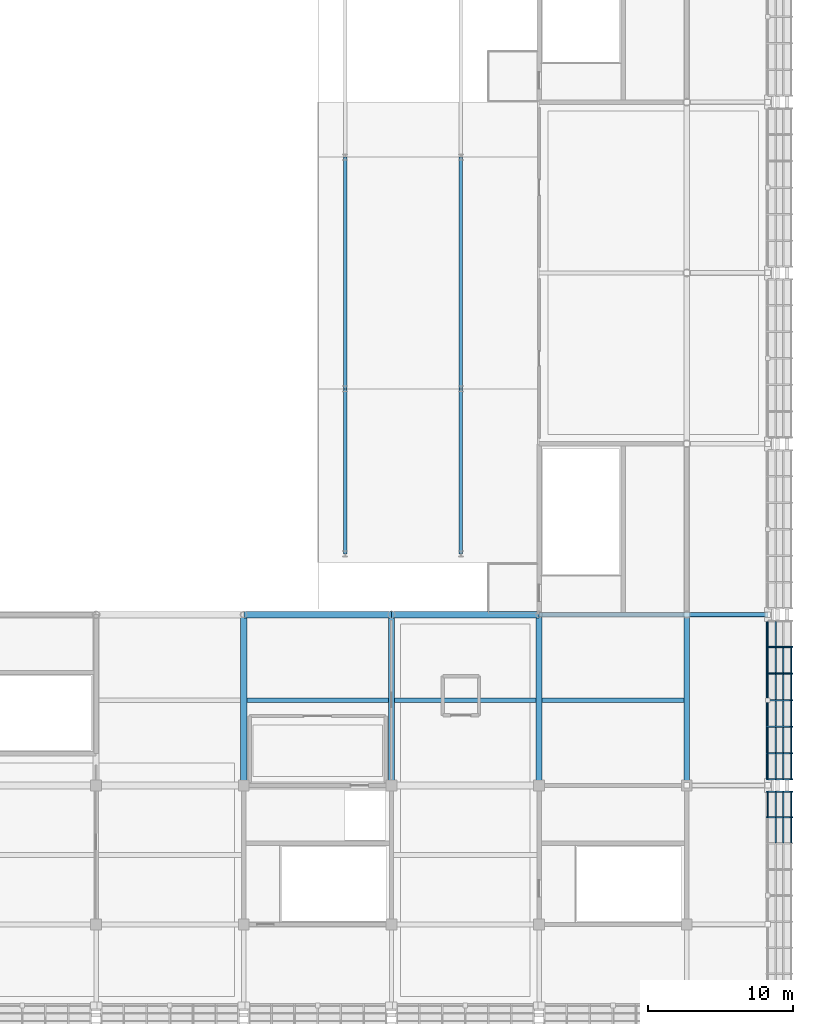
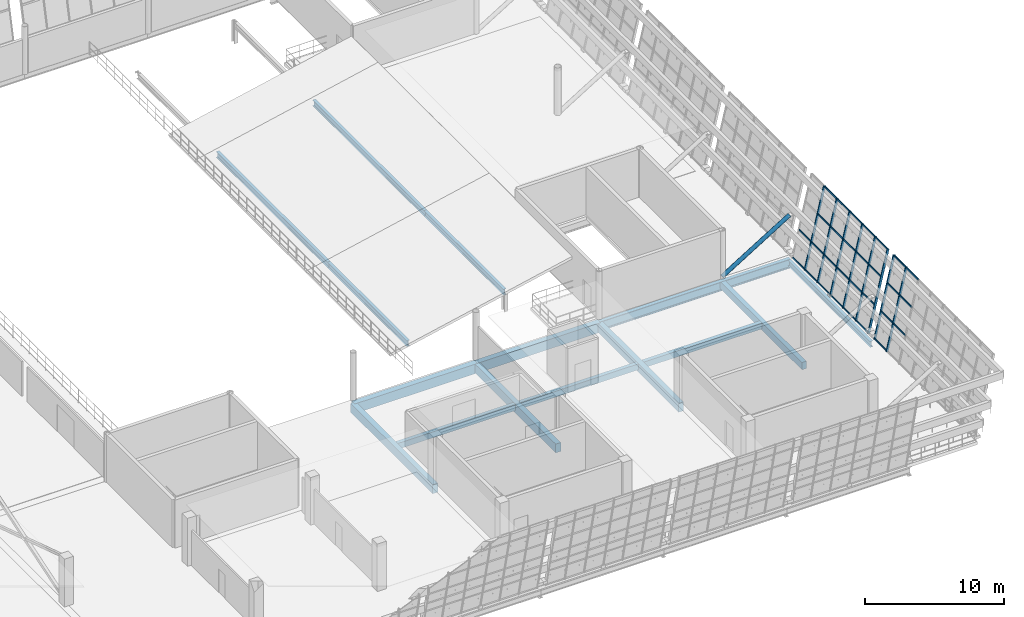
# One storey, part 66 of 157: 38 members, 15 beams, 2 elements without a shape of their own.
"""IFC4 building model written with IfcOpenShell, lengths in metres."""

from ifc_helpers import new_model, si_unit, direction, frame, origin, origin_2d, place, context, subcontext, project, spatial, rectangle, hollow_rectangle, hollow_circle, i_section, extrude, material, material_profile, profile_set, type_object, element, aggregate, save


model = new_model("IFC4")

# Units and contexts
model_context = context("Model", 3, precision=1e-05, world=origin(), true_north=direction((0.0, 1.0)))
body_context = subcontext(model_context, "Body", "Model", "MODEL_VIEW")
ifc_project = project(units=[si_unit("LENGTHUNIT", "METRE"), si_unit("AREAUNIT", "SQUARE_METRE"), si_unit("VOLUMEUNIT", "CUBIC_METRE"), si_unit("PLANEANGLEUNIT", "RADIAN"), si_unit("MASSUNIT", "GRAM", prefix="KILO")], contexts=[model_context])

# Site, building, storey
site_placement = place(None, origin())
site = spatial("IfcSite", under=ifc_project, at=site_placement, CompositionType="ELEMENT")
building_placement = place(site_placement, origin())
building = spatial("IfcBuilding", under=site, at=building_placement, Name="Brelvane Convention Centre", CompositionType="ELEMENT")
storey_placement = place(building_placement, frame((0.0, 0.0, 10.800048828125)))
storey = spatial("IfcBuildingStorey", under=building, at=storey_placement, Name="L02", CompositionType="ELEMENT", Elevation=10.800048828125)

# Curtain wall, members
ifc_material_1 = material(Name="Anodised Aluminium Alloy 6063-T6", Category="aluminium")
curtain_wall_type = type_object("IfcCurtainWallType", Name="Curtain Wall CW-PLEN-E", PredefinedType="USERDEFINED", material=ifc_material_1)
curtain_wall_1_placement = place(storey_placement, origin())
curtain_wall_1 = element("IfcCurtainWall", 1, at=curtain_wall_1_placement, inside=storey, type_object=curtain_wall_type, Name="Curtain Wall CW-PLEN-E L02-HULL-E-L02-1", ObjectType="UNITISED", PredefinedType="USERDEFINED")
ifc_material_2 = material(Name="Anodised Aluminium Alloy 6063-T6", Category="aluminium")
ifc_material_profile_1 = material_profile(ifc_material_2, hollow_rectangle(XDim=0.074951171875, YDim=0.199951171875, WallThickness=0.0048828125, InnerFilletRadius=0.0048828125, OuterFilletRadius=0.010009765625, at=origin_2d()), Name="ALU-M 200x75x5.0")
ifc_profile_set_1 = profile_set([ifc_material_profile_1], Name="Anodised Aluminium Alloy 6063-T6")
member_type_1 = type_object("IfcMemberType", Name="Curtain Mullion CW-M2", PredefinedType="MULLION", material=ifc_profile_set_1)
member_1_placement = place(storey_placement, frame((230.0, 26.60009765625, 0.0), z_axis=(0.228360410362, 0.0, 0.973576665178), x_axis=(0.0, 1.0, 0.0)))
member_1 = element("IfcMember", 2, at=member_1_placement, type_object=member_type_1, Name="CW-PLEN-E mullion 8", PredefinedType="MULLION", context=body_context, shape_type="SweptSolid", body=[
    extrude(hollow_rectangle(XDim=0.074951171875, YDim=0.199951171875, WallThickness=0.0048828125, InnerFilletRadius=0.0048828125, OuterFilletRadius=0.010009765625, at=origin_2d()), origin(), (0.0, 0.0, 1.0), 7.03564453125),
])
member_2_placement = place(storey_placement, frame((230.0, 28.362548828125, 0.0), z_axis=(0.228360410362, 0.0, 0.973576665178), x_axis=(0.0, 1.0, 0.0)))
member_2 = element("IfcMember", 3, at=member_2_placement, type_object=member_type_1, Name="CW-PLEN-E mullion 9", PredefinedType="MULLION", context=body_context, shape_type="SweptSolid", body=[
    extrude(hollow_rectangle(XDim=0.074951171875, YDim=0.199951171875, WallThickness=0.0048828125, InnerFilletRadius=0.0048828125, OuterFilletRadius=0.010009765625, at=origin_2d()), origin(), (0.0, 0.0, 1.0), 7.03564453125),
])

curtain_wall_2_placement = place(storey_placement, origin())
curtain_wall_2 = element("IfcCurtainWall", 4, at=curtain_wall_2_placement, inside=storey, type_object=curtain_wall_type, Name="Curtain Wall CW-PLEN-E L02-HULL-E-L02-2", ObjectType="UNITISED", PredefinedType="USERDEFINED")
member_3_placement = place(storey_placement, frame((230.0, 29.237548828125, 0.0), z_axis=(0.228360410362, 0.0, 0.973576665178), x_axis=(0.0, 1.0, 0.0)))
member_3 = element("IfcMember", 5, at=member_3_placement, type_object=member_type_1, Name="CW-PLEN-E mullion 1", PredefinedType="MULLION", context=body_context, shape_type="SweptSolid", body=[
    extrude(hollow_rectangle(XDim=0.074951171875, YDim=0.199951171875, WallThickness=0.0048828125, InnerFilletRadius=0.0048828125, OuterFilletRadius=0.010009765625, at=origin_2d()), origin(), (0.0, 0.0, 1.0), 7.03564453125),
])
member_4_placement = place(storey_placement, frame((230.0, 31.033447265625, 0.0), z_axis=(0.228360410362, 0.0, 0.973576665178), x_axis=(0.0, 1.0, 0.0)))
member_4 = element("IfcMember", 6, at=member_4_placement, type_object=member_type_1, Name="CW-PLEN-E mullion 2", PredefinedType="MULLION", context=body_context, shape_type="SweptSolid", body=[
    extrude(hollow_rectangle(XDim=0.074951171875, YDim=0.199951171875, WallThickness=0.0048828125, InnerFilletRadius=0.0048828125, OuterFilletRadius=0.010009765625, at=origin_2d()), origin(), (0.0, 0.0, 1.0), 7.03564453125),
])
member_5_placement = place(storey_placement, frame((230.0, 32.86669921875, 0.0), z_axis=(0.228360410362, 0.0, 0.973576665178), x_axis=(0.0, 1.0, 0.0)))
member_5 = element("IfcMember", 7, at=member_5_placement, type_object=member_type_1, Name="CW-PLEN-E mullion 3", PredefinedType="MULLION", context=body_context, shape_type="SweptSolid", body=[
    extrude(hollow_rectangle(XDim=0.074951171875, YDim=0.199951171875, WallThickness=0.0048828125, InnerFilletRadius=0.0048828125, OuterFilletRadius=0.010009765625, at=origin_2d()), origin(), (0.0, 0.0, 1.0), 7.03564453125),
])
member_6_placement = place(storey_placement, frame((230.0, 34.699951171875, 0.0), z_axis=(0.228360410362, 0.0, 0.973576665178), x_axis=(0.0, 1.0, 0.0)))
member_6 = element("IfcMember", 8, at=member_6_placement, type_object=member_type_1, Name="CW-PLEN-E mullion 4", PredefinedType="MULLION", context=body_context, shape_type="SweptSolid", body=[
    extrude(hollow_rectangle(XDim=0.074951171875, YDim=0.199951171875, WallThickness=0.0048828125, InnerFilletRadius=0.0048828125, OuterFilletRadius=0.010009765625, at=origin_2d()), origin(), (0.0, 0.0, 1.0), 7.03564453125),
])
member_7_placement = place(storey_placement, frame((230.0, 36.533447265625, 0.0), z_axis=(0.228360410362, 0.0, 0.973576665178), x_axis=(0.0, 1.0, 0.0)))
member_7 = element("IfcMember", 9, at=member_7_placement, type_object=member_type_1, Name="CW-PLEN-E mullion 5", PredefinedType="MULLION", context=body_context, shape_type="SweptSolid", body=[
    extrude(hollow_rectangle(XDim=0.074951171875, YDim=0.199951171875, WallThickness=0.0048828125, InnerFilletRadius=0.0048828125, OuterFilletRadius=0.010009765625, at=origin_2d()), origin(), (0.0, 0.0, 1.0), 7.03564453125),
])
member_8_placement = place(storey_placement, frame((230.0, 38.36669921875, 0.0), z_axis=(0.228360410362, 0.0, 0.973576665178), x_axis=(0.0, 1.0, 0.0)))
member_8 = element("IfcMember", 10, at=member_8_placement, type_object=member_type_1, Name="CW-PLEN-E mullion 6", PredefinedType="MULLION", context=body_context, shape_type="SweptSolid", body=[
    extrude(hollow_rectangle(XDim=0.074951171875, YDim=0.199951171875, WallThickness=0.0048828125, InnerFilletRadius=0.0048828125, OuterFilletRadius=0.010009765625, at=origin_2d()), origin(), (0.0, 0.0, 1.0), 7.03564453125),
])

# Member
ifc_material_3 = material(Name="Anodised Aluminium Alloy 6063-T6", Category="aluminium")
ifc_material_profile_2 = material_profile(ifc_material_3, hollow_rectangle(XDim=0.070068359375, YDim=0.14990234375, WallThickness=0.00439453125, InnerFilletRadius=0.00439453125, OuterFilletRadius=0.009033203125, at=origin_2d()), Name="ALU-T 150x70x4.5")
ifc_profile_set_2 = profile_set([ifc_material_profile_2], Name="Anodised Aluminium Alloy 6063-T6")
member_type_2 = type_object("IfcMemberType", Name="Curtain Transom CW-T2", PredefinedType="USERDEFINED", material=ifc_profile_set_2)
member_9_placement = place(storey_placement, frame((230.53564453125, 24.83740234375, 2.283203125), z_axis=(0.0, 1.0, 0.0), x_axis=(-1.0, 0.0, 0.0)))
member_9 = element("IfcMember", 11, at=member_9_placement, type_object=member_type_2, Name="CW-PLEN-E transom 7.2", ObjectType="TRANSOM", PredefinedType="USERDEFINED", context=body_context, shape_type="SweptSolid", body=[
    extrude(hollow_rectangle(XDim=0.070068359375, YDim=0.14990234375, WallThickness=0.00439453125, InnerFilletRadius=0.00439453125, OuterFilletRadius=0.009033203125, at=origin_2d()), origin(), (0.0, 0.0, 1.0), 1.72509765625),
])

member_10_placement = place(storey_placement, frame((231.071044921875, 24.83740234375, 4.566650390625), z_axis=(0.0, 1.0, 0.0), x_axis=(-1.0, 0.0, 0.0)))
member_10 = element("IfcMember", 12, at=member_10_placement, type_object=member_type_2, Name="CW-PLEN-E transom 7.3", ObjectType="TRANSOM", PredefinedType="USERDEFINED", context=body_context, shape_type="SweptSolid", body=[
    extrude(hollow_rectangle(XDim=0.070068359375, YDim=0.14990234375, WallThickness=0.00439453125, InnerFilletRadius=0.00439453125, OuterFilletRadius=0.009033203125, at=origin_2d()), origin(), (0.0, 0.0, 1.0), 1.72509765625),
])

member_11_placement = place(storey_placement, frame((231.598388671875, 24.83740234375, 6.81494140625), z_axis=(0.0, 1.0, 0.0), x_axis=(-1.0, 0.0, 0.0)))
member_11 = element("IfcMember", 13, at=member_11_placement, type_object=member_type_2, Name="CW-PLEN-E transom 7.4", ObjectType="TRANSOM", PredefinedType="USERDEFINED", context=body_context, shape_type="SweptSolid", body=[
    extrude(hollow_rectangle(XDim=0.070068359375, YDim=0.14990234375, WallThickness=0.00439453125, InnerFilletRadius=0.00439453125, OuterFilletRadius=0.009033203125, at=origin_2d()), origin(), (0.0, 0.0, 1.0), 1.72509765625),
])

member_12_placement = place(storey_placement, frame((230.00830078125, 26.637451171875, 0.034912109375), z_axis=(0.0, 1.0, 0.0), x_axis=(-1.0, 0.0, 0.0)))
member_12 = element("IfcMember", 14, at=member_12_placement, type_object=member_type_2, Name="CW-PLEN-E transom 8.1", ObjectType="TRANSOM", PredefinedType="USERDEFINED", context=body_context, shape_type="SweptSolid", body=[
    extrude(hollow_rectangle(XDim=0.070068359375, YDim=0.14990234375, WallThickness=0.00439453125, InnerFilletRadius=0.00439453125, OuterFilletRadius=0.009033203125, at=origin_2d()), origin(), (0.0, 0.0, 1.0), 1.6875),
])

member_13_placement = place(storey_placement, frame((230.53564453125, 26.637451171875, 2.283203125), z_axis=(0.0, 1.0, 0.0), x_axis=(-1.0, 0.0, 0.0)))
member_13 = element("IfcMember", 15, at=member_13_placement, type_object=member_type_2, Name="CW-PLEN-E transom 8.2", ObjectType="TRANSOM", PredefinedType="USERDEFINED", context=body_context, shape_type="SweptSolid", body=[
    extrude(hollow_rectangle(XDim=0.070068359375, YDim=0.14990234375, WallThickness=0.00439453125, InnerFilletRadius=0.00439453125, OuterFilletRadius=0.009033203125, at=origin_2d()), origin(), (0.0, 0.0, 1.0), 1.6875),
])

member_14_placement = place(storey_placement, frame((231.071044921875, 26.637451171875, 4.566650390625), z_axis=(0.0, 1.0, 0.0), x_axis=(-1.0, 0.0, 0.0)))
member_14 = element("IfcMember", 16, at=member_14_placement, type_object=member_type_2, Name="CW-PLEN-E transom 8.3", ObjectType="TRANSOM", PredefinedType="USERDEFINED", context=body_context, shape_type="SweptSolid", body=[
    extrude(hollow_rectangle(XDim=0.070068359375, YDim=0.14990234375, WallThickness=0.00439453125, InnerFilletRadius=0.00439453125, OuterFilletRadius=0.009033203125, at=origin_2d()), origin(), (0.0, 0.0, 1.0), 1.6875),
])

member_15_placement = place(storey_placement, frame((231.598388671875, 26.637451171875, 6.81494140625), z_axis=(0.0, 1.0, 0.0), x_axis=(-1.0, 0.0, 0.0)))
member_15 = element("IfcMember", 17, at=member_15_placement, type_object=member_type_2, Name="CW-PLEN-E transom 8.4", ObjectType="TRANSOM", PredefinedType="USERDEFINED", context=body_context, shape_type="SweptSolid", body=[
    extrude(hollow_rectangle(XDim=0.070068359375, YDim=0.14990234375, WallThickness=0.00439453125, InnerFilletRadius=0.00439453125, OuterFilletRadius=0.009033203125, at=origin_2d()), origin(), (0.0, 0.0, 1.0), 1.6875),
])

aggregate(curtain_wall_1, [member_1, member_2, member_9, member_10, member_11, member_12, member_13, member_14, member_15])

member_16_placement = place(storey_placement, frame((230.00830078125, 29.27490234375, 0.034912109375), z_axis=(0.0, 1.0, 0.0), x_axis=(-1.0, 0.0, 0.0)))
member_16 = element("IfcMember", 18, at=member_16_placement, type_object=member_type_2, Name="CW-PLEN-E transom 1.1", ObjectType="TRANSOM", PredefinedType="USERDEFINED", context=body_context, shape_type="SweptSolid", body=[
    extrude(hollow_rectangle(XDim=0.070068359375, YDim=0.14990234375, WallThickness=0.00439453125, InnerFilletRadius=0.00439453125, OuterFilletRadius=0.009033203125, at=origin_2d()), origin(), (0.0, 0.0, 1.0), 1.720947265625),
])

member_17_placement = place(storey_placement, frame((230.53564453125, 29.27490234375, 2.283203125), z_axis=(0.0, 1.0, 0.0), x_axis=(-1.0, 0.0, 0.0)))
member_17 = element("IfcMember", 19, at=member_17_placement, type_object=member_type_2, Name="CW-PLEN-E transom 1.2", ObjectType="TRANSOM", PredefinedType="USERDEFINED", context=body_context, shape_type="SweptSolid", body=[
    extrude(hollow_rectangle(XDim=0.070068359375, YDim=0.14990234375, WallThickness=0.00439453125, InnerFilletRadius=0.00439453125, OuterFilletRadius=0.009033203125, at=origin_2d()), origin(), (0.0, 0.0, 1.0), 1.720947265625),
])

member_18_placement = place(storey_placement, frame((231.071044921875, 29.27490234375, 4.566650390625), z_axis=(0.0, 1.0, 0.0), x_axis=(-1.0, 0.0, 0.0)))
member_18 = element("IfcMember", 20, at=member_18_placement, type_object=member_type_2, Name="CW-PLEN-E transom 1.3", ObjectType="TRANSOM", PredefinedType="USERDEFINED", context=body_context, shape_type="SweptSolid", body=[
    extrude(hollow_rectangle(XDim=0.070068359375, YDim=0.14990234375, WallThickness=0.00439453125, InnerFilletRadius=0.00439453125, OuterFilletRadius=0.009033203125, at=origin_2d()), origin(), (0.0, 0.0, 1.0), 1.720947265625),
])

member_19_placement = place(storey_placement, frame((231.598388671875, 29.27490234375, 6.81494140625), z_axis=(0.0, 1.0, 0.0), x_axis=(-1.0, 0.0, 0.0)))
member_19 = element("IfcMember", 21, at=member_19_placement, type_object=member_type_2, Name="CW-PLEN-E transom 1.4", ObjectType="TRANSOM", PredefinedType="USERDEFINED", context=body_context, shape_type="SweptSolid", body=[
    extrude(hollow_rectangle(XDim=0.070068359375, YDim=0.14990234375, WallThickness=0.00439453125, InnerFilletRadius=0.00439453125, OuterFilletRadius=0.009033203125, at=origin_2d()), origin(), (0.0, 0.0, 1.0), 1.720947265625),
])

member_20_placement = place(storey_placement, frame((230.00830078125, 31.07080078125, 0.034912109375), z_axis=(0.0, 1.0, 0.0), x_axis=(-1.0, 0.0, 0.0)))
member_20 = element("IfcMember", 22, at=member_20_placement, type_object=member_type_2, Name="CW-PLEN-E transom 2.1", ObjectType="TRANSOM", PredefinedType="USERDEFINED", context=body_context, shape_type="SweptSolid", body=[
    extrude(hollow_rectangle(XDim=0.070068359375, YDim=0.14990234375, WallThickness=0.00439453125, InnerFilletRadius=0.00439453125, OuterFilletRadius=0.009033203125, at=origin_2d()), origin(), (0.0, 0.0, 1.0), 1.75830078125),
])

member_21_placement = place(storey_placement, frame((230.53564453125, 31.07080078125, 2.283203125), z_axis=(0.0, 1.0, 0.0), x_axis=(-1.0, 0.0, 0.0)))
member_21 = element("IfcMember", 23, at=member_21_placement, type_object=member_type_2, Name="CW-PLEN-E transom 2.2", ObjectType="TRANSOM", PredefinedType="USERDEFINED", context=body_context, shape_type="SweptSolid", body=[
    extrude(hollow_rectangle(XDim=0.070068359375, YDim=0.14990234375, WallThickness=0.00439453125, InnerFilletRadius=0.00439453125, OuterFilletRadius=0.009033203125, at=origin_2d()), origin(), (0.0, 0.0, 1.0), 1.75830078125),
])

member_22_placement = place(storey_placement, frame((231.071044921875, 31.07080078125, 4.566650390625), z_axis=(0.0, 1.0, 0.0), x_axis=(-1.0, 0.0, 0.0)))
member_22 = element("IfcMember", 24, at=member_22_placement, type_object=member_type_2, Name="CW-PLEN-E transom 2.3", ObjectType="TRANSOM", PredefinedType="USERDEFINED", context=body_context, shape_type="SweptSolid", body=[
    extrude(hollow_rectangle(XDim=0.070068359375, YDim=0.14990234375, WallThickness=0.00439453125, InnerFilletRadius=0.00439453125, OuterFilletRadius=0.009033203125, at=origin_2d()), origin(), (0.0, 0.0, 1.0), 1.75830078125),
])

member_23_placement = place(storey_placement, frame((231.598388671875, 31.07080078125, 6.81494140625), z_axis=(0.0, 1.0, 0.0), x_axis=(-1.0, 0.0, 0.0)))
member_23 = element("IfcMember", 25, at=member_23_placement, type_object=member_type_2, Name="CW-PLEN-E transom 2.4", ObjectType="TRANSOM", PredefinedType="USERDEFINED", context=body_context, shape_type="SweptSolid", body=[
    extrude(hollow_rectangle(XDim=0.070068359375, YDim=0.14990234375, WallThickness=0.00439453125, InnerFilletRadius=0.00439453125, OuterFilletRadius=0.009033203125, at=origin_2d()), origin(), (0.0, 0.0, 1.0), 1.75830078125),
])

member_24_placement = place(storey_placement, frame((230.00830078125, 32.904052734375, 0.034912109375), z_axis=(0.0, 1.0, 0.0), x_axis=(-1.0, 0.0, 0.0)))
member_24 = element("IfcMember", 26, at=member_24_placement, type_object=member_type_2, Name="CW-PLEN-E transom 3.1", ObjectType="TRANSOM", PredefinedType="USERDEFINED", context=body_context, shape_type="SweptSolid", body=[
    extrude(hollow_rectangle(XDim=0.070068359375, YDim=0.14990234375, WallThickness=0.00439453125, InnerFilletRadius=0.00439453125, OuterFilletRadius=0.009033203125, at=origin_2d()), origin(), (0.0, 0.0, 1.0), 1.758544921875),
])

member_25_placement = place(storey_placement, frame((230.53564453125, 32.904052734375, 2.283203125), z_axis=(0.0, 1.0, 0.0), x_axis=(-1.0, 0.0, 0.0)))
member_25 = element("IfcMember", 27, at=member_25_placement, type_object=member_type_2, Name="CW-PLEN-E transom 3.2", ObjectType="TRANSOM", PredefinedType="USERDEFINED", context=body_context, shape_type="SweptSolid", body=[
    extrude(hollow_rectangle(XDim=0.070068359375, YDim=0.14990234375, WallThickness=0.00439453125, InnerFilletRadius=0.00439453125, OuterFilletRadius=0.009033203125, at=origin_2d()), origin(), (0.0, 0.0, 1.0), 1.758544921875),
])

member_26_placement = place(storey_placement, frame((231.071044921875, 32.904052734375, 4.566650390625), z_axis=(0.0, 1.0, 0.0), x_axis=(-1.0, 0.0, 0.0)))
member_26 = element("IfcMember", 28, at=member_26_placement, type_object=member_type_2, Name="CW-PLEN-E transom 3.3", ObjectType="TRANSOM", PredefinedType="USERDEFINED", context=body_context, shape_type="SweptSolid", body=[
    extrude(hollow_rectangle(XDim=0.070068359375, YDim=0.14990234375, WallThickness=0.00439453125, InnerFilletRadius=0.00439453125, OuterFilletRadius=0.009033203125, at=origin_2d()), origin(), (0.0, 0.0, 1.0), 1.758544921875),
])

member_27_placement = place(storey_placement, frame((231.598388671875, 32.904052734375, 6.81494140625), z_axis=(0.0, 1.0, 0.0), x_axis=(-1.0, 0.0, 0.0)))
member_27 = element("IfcMember", 29, at=member_27_placement, type_object=member_type_2, Name="CW-PLEN-E transom 3.4", ObjectType="TRANSOM", PredefinedType="USERDEFINED", context=body_context, shape_type="SweptSolid", body=[
    extrude(hollow_rectangle(XDim=0.070068359375, YDim=0.14990234375, WallThickness=0.00439453125, InnerFilletRadius=0.00439453125, OuterFilletRadius=0.009033203125, at=origin_2d()), origin(), (0.0, 0.0, 1.0), 1.758544921875),
])

member_28_placement = place(storey_placement, frame((230.00830078125, 34.737548828125, 0.034912109375), z_axis=(0.0, 1.0, 0.0), x_axis=(-1.0, 0.0, 0.0)))
member_28 = element("IfcMember", 30, at=member_28_placement, type_object=member_type_2, Name="CW-PLEN-E transom 4.1", ObjectType="TRANSOM", PredefinedType="USERDEFINED", context=body_context, shape_type="SweptSolid", body=[
    extrude(hollow_rectangle(XDim=0.070068359375, YDim=0.14990234375, WallThickness=0.00439453125, InnerFilletRadius=0.00439453125, OuterFilletRadius=0.009033203125, at=origin_2d()), origin(), (0.0, 0.0, 1.0), 1.75830078125),
])

member_29_placement = place(storey_placement, frame((230.53564453125, 34.737548828125, 2.283203125), z_axis=(0.0, 1.0, 0.0), x_axis=(-1.0, 0.0, 0.0)))
member_29 = element("IfcMember", 31, at=member_29_placement, type_object=member_type_2, Name="CW-PLEN-E transom 4.2", ObjectType="TRANSOM", PredefinedType="USERDEFINED", context=body_context, shape_type="SweptSolid", body=[
    extrude(hollow_rectangle(XDim=0.070068359375, YDim=0.14990234375, WallThickness=0.00439453125, InnerFilletRadius=0.00439453125, OuterFilletRadius=0.009033203125, at=origin_2d()), origin(), (0.0, 0.0, 1.0), 1.75830078125),
])

member_30_placement = place(storey_placement, frame((231.071044921875, 34.737548828125, 4.566650390625), z_axis=(0.0, 1.0, 0.0), x_axis=(-1.0, 0.0, 0.0)))
member_30 = element("IfcMember", 32, at=member_30_placement, type_object=member_type_2, Name="CW-PLEN-E transom 4.3", ObjectType="TRANSOM", PredefinedType="USERDEFINED", context=body_context, shape_type="SweptSolid", body=[
    extrude(hollow_rectangle(XDim=0.070068359375, YDim=0.14990234375, WallThickness=0.00439453125, InnerFilletRadius=0.00439453125, OuterFilletRadius=0.009033203125, at=origin_2d()), origin(), (0.0, 0.0, 1.0), 1.75830078125),
])

member_31_placement = place(storey_placement, frame((231.598388671875, 34.737548828125, 6.81494140625), z_axis=(0.0, 1.0, 0.0), x_axis=(-1.0, 0.0, 0.0)))
member_31 = element("IfcMember", 33, at=member_31_placement, type_object=member_type_2, Name="CW-PLEN-E transom 4.4", ObjectType="TRANSOM", PredefinedType="USERDEFINED", context=body_context, shape_type="SweptSolid", body=[
    extrude(hollow_rectangle(XDim=0.070068359375, YDim=0.14990234375, WallThickness=0.00439453125, InnerFilletRadius=0.00439453125, OuterFilletRadius=0.009033203125, at=origin_2d()), origin(), (0.0, 0.0, 1.0), 1.75830078125),
])

member_32_placement = place(storey_placement, frame((230.00830078125, 36.57080078125, 0.034912109375), z_axis=(0.0, 1.0, 0.0), x_axis=(-1.0, 0.0, 0.0)))
member_32 = element("IfcMember", 34, at=member_32_placement, type_object=member_type_2, Name="CW-PLEN-E transom 5.1", ObjectType="TRANSOM", PredefinedType="USERDEFINED", context=body_context, shape_type="SweptSolid", body=[
    extrude(hollow_rectangle(XDim=0.070068359375, YDim=0.14990234375, WallThickness=0.00439453125, InnerFilletRadius=0.00439453125, OuterFilletRadius=0.009033203125, at=origin_2d()), origin(), (0.0, 0.0, 1.0), 1.75830078125),
])

member_33_placement = place(storey_placement, frame((230.53564453125, 36.57080078125, 2.283203125), z_axis=(0.0, 1.0, 0.0), x_axis=(-1.0, 0.0, 0.0)))
member_33 = element("IfcMember", 35, at=member_33_placement, type_object=member_type_2, Name="CW-PLEN-E transom 5.2", ObjectType="TRANSOM", PredefinedType="USERDEFINED", context=body_context, shape_type="SweptSolid", body=[
    extrude(hollow_rectangle(XDim=0.070068359375, YDim=0.14990234375, WallThickness=0.00439453125, InnerFilletRadius=0.00439453125, OuterFilletRadius=0.009033203125, at=origin_2d()), origin(), (0.0, 0.0, 1.0), 1.75830078125),
])

member_34_placement = place(storey_placement, frame((231.071044921875, 36.57080078125, 4.566650390625), z_axis=(0.0, 1.0, 0.0), x_axis=(-1.0, 0.0, 0.0)))
member_34 = element("IfcMember", 36, at=member_34_placement, type_object=member_type_2, Name="CW-PLEN-E transom 5.3", ObjectType="TRANSOM", PredefinedType="USERDEFINED", context=body_context, shape_type="SweptSolid", body=[
    extrude(hollow_rectangle(XDim=0.070068359375, YDim=0.14990234375, WallThickness=0.00439453125, InnerFilletRadius=0.00439453125, OuterFilletRadius=0.009033203125, at=origin_2d()), origin(), (0.0, 0.0, 1.0), 1.75830078125),
])

member_35_placement = place(storey_placement, frame((231.598388671875, 36.57080078125, 6.81494140625), z_axis=(0.0, 1.0, 0.0), x_axis=(-1.0, 0.0, 0.0)))
member_35 = element("IfcMember", 37, at=member_35_placement, type_object=member_type_2, Name="CW-PLEN-E transom 5.4", ObjectType="TRANSOM", PredefinedType="USERDEFINED", context=body_context, shape_type="SweptSolid", body=[
    extrude(hollow_rectangle(XDim=0.070068359375, YDim=0.14990234375, WallThickness=0.00439453125, InnerFilletRadius=0.00439453125, OuterFilletRadius=0.009033203125, at=origin_2d()), origin(), (0.0, 0.0, 1.0), 1.75830078125),
])

member_36_placement = place(storey_placement, frame((230.00830078125, 38.404052734375, 0.034912109375), z_axis=(0.0, 1.0, 0.0), x_axis=(-1.0, 0.0, 0.0)))
member_36 = element("IfcMember", 38, at=member_36_placement, type_object=member_type_2, Name="CW-PLEN-E transom 6.1", ObjectType="TRANSOM", PredefinedType="USERDEFINED", context=body_context, shape_type="SweptSolid", body=[
    extrude(hollow_rectangle(XDim=0.070068359375, YDim=0.14990234375, WallThickness=0.00439453125, InnerFilletRadius=0.00439453125, OuterFilletRadius=0.009033203125, at=origin_2d()), origin(), (0.0, 0.0, 1.0), 1.720947265625),
])

member_37_placement = place(storey_placement, frame((230.53564453125, 38.404052734375, 2.283203125), z_axis=(0.0, 1.0, 0.0), x_axis=(-1.0, 0.0, 0.0)))
member_37 = element("IfcMember", 39, at=member_37_placement, type_object=member_type_2, Name="CW-PLEN-E transom 6.2", ObjectType="TRANSOM", PredefinedType="USERDEFINED", context=body_context, shape_type="SweptSolid", body=[
    extrude(hollow_rectangle(XDim=0.070068359375, YDim=0.14990234375, WallThickness=0.00439453125, InnerFilletRadius=0.00439453125, OuterFilletRadius=0.009033203125, at=origin_2d()), origin(), (0.0, 0.0, 1.0), 1.720947265625),
])

aggregate(curtain_wall_2, [member_3, member_4, member_5, member_6, member_7, member_8, member_16, member_17, member_18, member_19, member_20, member_21, member_22, member_23, member_24, member_25, member_26, member_27, member_28, member_29, member_30, member_31, member_32, member_33, member_34, member_35, member_36, member_37])

# Beams
ifc_material_4 = material(Name="Concrete M40", Category="concrete")
ifc_material_profile_3 = material_profile(ifc_material_4, rectangle(XDim=0.4599609375, YDim=0.840087890625, at=origin_2d()), Name="RC 460x840")
ifc_profile_set_3 = profile_set([ifc_material_profile_3], Name="Concrete M40")
beam_type_1 = type_object("IfcBeamType", Name="RC Beam B-RC11 (RC 460x840)", PredefinedType="BEAM", material=ifc_profile_set_3)
for number, where, z_axis, x_axis, name in (
    (40, (193.800048828125, 40.60009765625, -0.699951171875), (1.0, 0.0, 0.0), (0.0, 1.0, 0.0), "L02 Beam 20-21/E"),
    (41, (204.0, 40.60009765625, -0.699951171875), (1.0, 0.0, 0.0), (0.0, 1.0, 0.0), "L02 Beam 21-22/E"),
):
    element("IfcBeam", number, at=place(storey_placement, frame(where, z_axis=z_axis, x_axis=x_axis)), inside=storey, type_object=beam_type_1, Name=name, PredefinedType="BEAM", context=body_context, shape_type="SweptSolid", body=[
        extrude(rectangle(XDim=0.4599609375, YDim=0.840087890625, at=origin_2d()), origin(), (0.0, 0.0, 1.0), 10.199951171875),
    ])
ifc_material_5 = material(Name="Concrete M40", Category="concrete")
ifc_material_profile_4 = material_profile(ifc_material_5, rectangle(XDim=0.419921875, YDim=0.780029296875, at=origin_2d()), Name="RC 420x780")
ifc_profile_set_4 = profile_set([ifc_material_profile_4], Name="Concrete M40")
beam_type_2 = type_object("IfcBeamType", Name="RC Beam B-RC12 (RC 420x780)", PredefinedType="BEAM", material=ifc_profile_set_4)
for number, where, z_axis, x_axis, name in (
    (42, (193.800048828125, 28.800048828125, -0.670166015625), (0.0, 1.0, 0.0), (-1.0, 0.0, 0.0), "L02 Girder 20/D-E"),
    (43, (204.0, 28.800048828125, -0.670166015625), (0.0, 1.0, 0.0), (-1.0, 0.0, 0.0), "L02 Girder 21/D-E"),
    (44, (214.199951171875, 28.800048828125, -0.670166015625), (0.0, 1.0, 0.0), (-1.0, 0.0, 0.0), "L02 Girder 22/D-E"),
):
    element("IfcBeam", number, at=place(storey_placement, frame(where, z_axis=z_axis, x_axis=x_axis)), inside=storey, type_object=beam_type_2, Name=name, PredefinedType="BEAM", context=body_context, shape_type="SweptSolid", body=[
        extrude(rectangle(XDim=0.419921875, YDim=0.780029296875, at=origin_2d()), origin(), (0.0, 0.0, 1.0), 11.800048828125),
    ])
ifc_material_6 = material(Name="Concrete M40", Category="concrete")
ifc_material_profile_5 = material_profile(ifc_material_6, rectangle(XDim=0.320068359375, YDim=0.52001953125, at=origin_2d()), Name="RC 320x520")
ifc_profile_set_5 = profile_set([ifc_material_profile_5], Name="Concrete M40")
beam_type_3 = type_object("IfcBeamType", Name="RC Joist J-RC4 (RC 320x520)", PredefinedType="JOIST", material=ifc_profile_set_5)
for number, where, z_axis, x_axis, name in (
    (45, (194.010009765625, 34.699951171875, -0.5400390625), (1.0, 0.0, 0.0), (0.0, 1.0, 0.0), "L02 Secondary Joist 20-21/DE"),
    (46, (204.2099609375, 34.699951171875, -0.5400390625), (1.0, 0.0, 0.0), (0.0, 1.0, 0.0), "L02 Secondary Joist 21-22/DE"),
):
    element("IfcBeam", number, at=place(storey_placement, frame(where, z_axis=z_axis, x_axis=x_axis)), inside=storey, type_object=beam_type_3, Name=name, PredefinedType="JOIST", context=body_context, shape_type="SweptSolid", body=[
        extrude(rectangle(XDim=0.320068359375, YDim=0.52001953125, at=origin_2d()), origin(), (0.0, 0.0, 1.0), 9.780029296875),
    ])
beam_1_placement = place(storey_placement, frame((214.409912109375, 34.699951171875, -0.5400390625), z_axis=(1.0, 0.0, 0.0), x_axis=(0.0, 1.0, 0.0)))
element("IfcBeam", 47, at=beam_1_placement, inside=storey, type_object=beam_type_3, Name="L02 Secondary Joist 22-23/DE", PredefinedType="JOIST", context=body_context, shape_type="SweptSolid", body=[
    extrude(rectangle(XDim=0.320068359375, YDim=0.52001953125, at=origin_2d()), origin(), (0.0, 0.0, 1.0), 9.81005859375),
])
ifc_material_7 = material(Name="Concrete M40", Category="concrete")
ifc_material_profile_6 = material_profile(ifc_material_7, rectangle(XDim=0.360107421875, YDim=0.639892578125, at=origin_2d()), Name="RC 360x640")
ifc_profile_set_6 = profile_set([ifc_material_profile_6], Name="Concrete M40")
beam_type_4 = type_object("IfcBeamType", Name="RC Spandrel SP-RC3 (RC 360x640)", PredefinedType="SPANDREL", material=ifc_profile_set_6)
beam_2_placement = place(storey_placement, frame((224.39990234375, 28.800048828125, -0.60009765625), z_axis=(0.0, 1.0, 0.0), x_axis=(-1.0, 0.0, 0.0)))
element("IfcBeam", 48, at=beam_2_placement, inside=storey, type_object=beam_type_4, Name="L02 Girder 23/D-E", PredefinedType="SPANDREL", context=body_context, shape_type="SweptSolid", body=[
    extrude(rectangle(XDim=0.360107421875, YDim=0.639892578125, at=origin_2d()), origin(), (0.0, 0.0, 1.0), 11.800048828125),
])
ifc_material_8 = material(Name="Steel E450 (450 MPa)", Category="steel")
ifc_material_profile_7 = material_profile(ifc_material_8, i_section(OverallWidth=0.300048828125, OverallDepth=0.800048828125, WebThickness=0.015380859375, FlangeThickness=0.030029296875, FilletRadius=0.027099609375, at=origin_2d()), Name="NPB 800x300")
ifc_profile_set_7 = profile_set([ifc_material_profile_7], Name="Steel E450 (450 MPa)")
beam_type_5 = type_object("IfcBeamType", Name="Steel Beam B-ST2 (NPB 800x300)", PredefinedType="BEAM", material=ifc_profile_set_7)
beam_3_placement = place(storey_placement, frame((214.199951171875, 40.60009765625, -0.679931640625), z_axis=(1.0, 0.0, 0.0), x_axis=(0.0, 1.0, 0.0)))
element("IfcBeam", 49, at=beam_3_placement, inside=storey, type_object=beam_type_5, Name="L02 Plenary East Cantilever Girder Y40", PredefinedType="BEAM", context=body_context, shape_type="SweptSolid", body=[
    extrude(i_section(OverallWidth=0.300048828125, OverallDepth=0.800048828125, WebThickness=0.015380859375, FlangeThickness=0.030029296875, FilletRadius=0.027099609375, at=origin_2d()), origin(), (0.0, 0.0, 1.0), 15.800048828125),
])
ifc_material_9 = material(Name="Steel E350 (350 MPa)", Category="steel")
ifc_material_profile_8 = material_profile(ifc_material_9, i_section(OverallWidth=0.25, OverallDepth=0.5, WebThickness=0.010009765625, FlangeThickness=0.0146484375, FilletRadius=0.01611328125, at=origin_2d()), Name="ISWB 500")
ifc_profile_set_8 = profile_set([ifc_material_profile_8], Name="Steel E350 (350 MPa)")
beam_type_6 = type_object("IfcBeamType", Name="Steel Beam B-ST6 (ISWB 500)", PredefinedType="BEAM", material=ifc_profile_set_8)
beam_4_placement = place(storey_placement, frame((200.800048828125, 44.800048828125, -0.090087890625), z_axis=(0.0, 1.0, 0.0), x_axis=(-1.0, 0.0, 0.0)))
element("IfcBeam", 50, at=beam_4_placement, inside=storey, type_object=beam_type_6, Name="Plenary Upper Tier Bearer Beam U1-1", PredefinedType="BEAM", context=body_context, shape_type="SweptSolid", body=[
    extrude(i_section(OverallWidth=0.25, OverallDepth=0.5, WebThickness=0.010009765625, FlangeThickness=0.0146484375, FilletRadius=0.01611328125, at=origin_2d()), origin(), (0.0, 0.0, 1.0), 11.39990234375),
])
beam_5_placement = place(storey_placement, frame((200.800048828125, 56.199951171875, -0.090087890625), z_axis=(0.0, 1.0, 0.0), x_axis=(-1.0, 0.0, 0.0)))
element("IfcBeam", 51, at=beam_5_placement, inside=storey, type_object=beam_type_6, Name="Plenary Upper Tier Bearer Beam U1-2", PredefinedType="BEAM", context=body_context, shape_type="SweptSolid", body=[
    extrude(i_section(OverallWidth=0.25, OverallDepth=0.5, WebThickness=0.010009765625, FlangeThickness=0.0146484375, FilletRadius=0.01611328125, at=origin_2d()), origin(), (0.0, 0.0, 1.0), 16.0),
])
beam_6_placement = place(storey_placement, frame((208.800048828125, 44.800048828125, 1.6298828125), z_axis=(0.0, 1.0, 0.0), x_axis=(-1.0, 0.0, 0.0)))
element("IfcBeam", 52, at=beam_6_placement, inside=storey, type_object=beam_type_6, Name="Plenary Upper Tier Bearer Beam U2-1", PredefinedType="BEAM", context=body_context, shape_type="SweptSolid", body=[
    extrude(i_section(OverallWidth=0.25, OverallDepth=0.5, WebThickness=0.010009765625, FlangeThickness=0.0146484375, FilletRadius=0.01611328125, at=origin_2d()), origin(), (0.0, 0.0, 1.0), 11.39990234375),
])
beam_7_placement = place(storey_placement, frame((208.800048828125, 56.199951171875, 1.6298828125), z_axis=(0.0, 1.0, 0.0), x_axis=(-1.0, 0.0, 0.0)))
element("IfcBeam", 53, at=beam_7_placement, inside=storey, type_object=beam_type_6, Name="Plenary Upper Tier Bearer Beam U2-2", PredefinedType="BEAM", context=body_context, shape_type="SweptSolid", body=[
    extrude(i_section(OverallWidth=0.25, OverallDepth=0.5, WebThickness=0.010009765625, FlangeThickness=0.0146484375, FilletRadius=0.01611328125, at=origin_2d()), origin(), (0.0, 0.0, 1.0), 16.0),
])
ifc_material_10 = material(Name="Steel E350 (350 MPa)", Category="steel")
ifc_material_profile_9 = material_profile(ifc_material_10, i_section(OverallWidth=0.25, OverallDepth=0.5, WebThickness=0.010009765625, FlangeThickness=0.0146484375, FilletRadius=0.01611328125, at=origin_2d()), Name="ISWB 500")
ifc_profile_set_9 = profile_set([ifc_material_profile_9], Name="Steel E350 (350 MPa)")
beam_type_7 = type_object("IfcBeamType", Name="Steel Spandrel SP-ST1 (ISWB 500)", PredefinedType="SPANDREL", material=ifc_profile_set_9)
beam_8_placement = place(storey_placement, frame((230.0, 28.800048828125, -0.679931640625), z_axis=(0.0, 1.0, 0.0), x_axis=(-1.0, 0.0, 0.0)))
element("IfcBeam", 54, at=beam_8_placement, inside=storey, type_object=beam_type_7, Name="L02 Plenary Overhang Tip Spandrel 2", PredefinedType="SPANDREL", context=body_context, shape_type="SweptSolid", body=[
    extrude(i_section(OverallWidth=0.25, OverallDepth=0.5, WebThickness=0.010009765625, FlangeThickness=0.0146484375, FilletRadius=0.01611328125, at=origin_2d()), origin(), (0.0, 0.0, 1.0), 11.800048828125),
])

# Member
ifc_material_11 = material(Name="Steel E450 (450 MPa)", Category="steel")
ifc_material_profile_10 = material_profile(ifc_material_11, hollow_circle(Radius=0.161865234375, WallThickness=0.012451171875, at=origin_2d()), Name="CHS 323.9x12.5")
ifc_profile_set_10 = profile_set([ifc_material_profile_10], Name="Steel E450 (450 MPa)")
member_type_3 = type_object("IfcMemberType", Name="Steel Strut HS-ST2 (CHS 323.9x12.5)", PredefinedType="STRUT", material=ifc_profile_set_10)
member_38_placement = place(storey_placement, frame((224.39990234375, 40.60009765625, 0.050048828125), z_axis=(0.851404606283, 0.0, 0.524509481707), x_axis=(0.0, 1.0, 0.0)))
element("IfcMember", 55, at=member_38_placement, inside=storey, type_object=member_type_3, Name="Plenary East Overhang Raked Strut L03 Y40", PredefinedType="STRUT", context=body_context, shape_type="SweptSolid", body=[
    extrude(hollow_circle(Radius=0.161865234375, WallThickness=0.012451171875, at=origin_2d()), origin(), (0.0, 0.0, 1.0), 6.577392578125),
])

save(model, "model.ifc")
